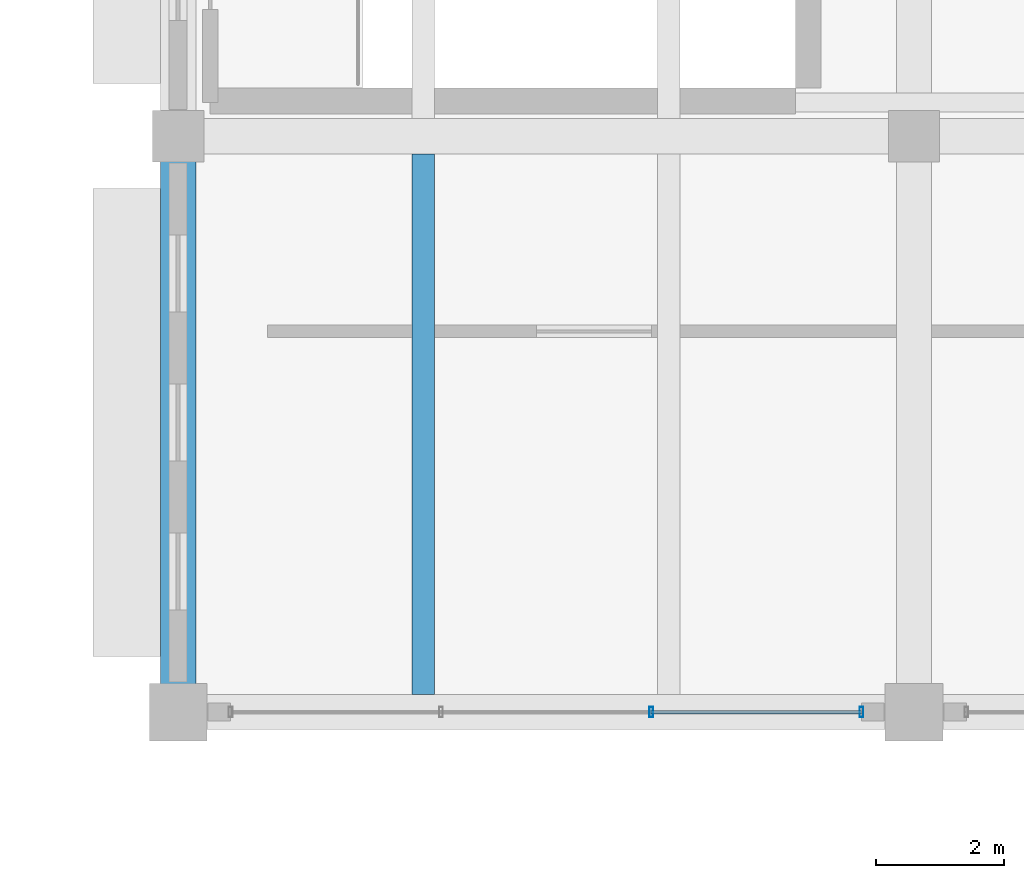
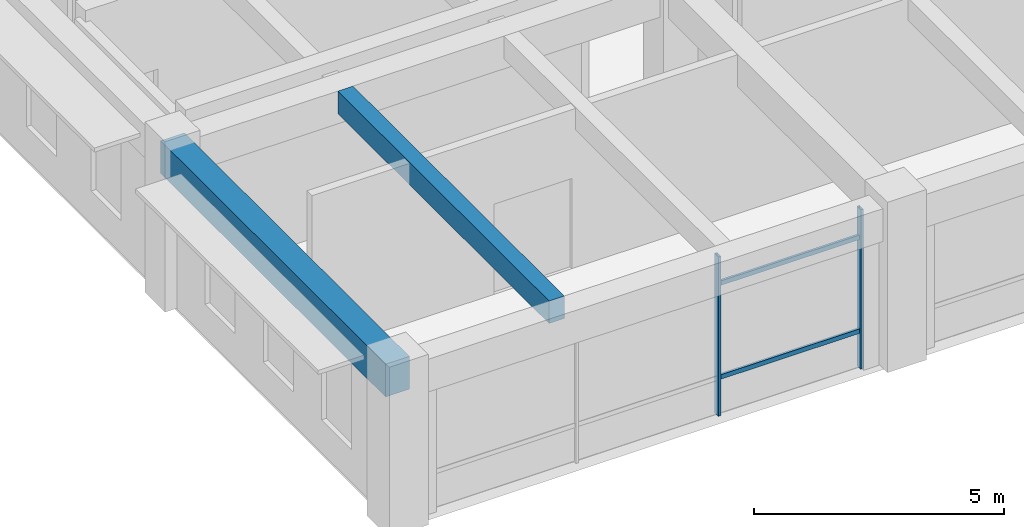
# One storey, part 3 of 33: 4 members, 2 beams, 1 element without a shape of its own.
"""IFC4 building model written with IfcOpenShell, lengths in metres."""

from ifc_helpers import new_model, si_unit, direction, frame, origin, origin_2d, place, context, subcontext, project, spatial, rectangle, hollow_rectangle, extrude, material, material_profile, profile_set, type_object, element, aggregate, save


model = new_model("IFC4")

# Units and contexts
model_context = context("Model", 3, precision=1e-05, world=origin(), true_north=direction((0.0, 1.0)))
body_context = subcontext(model_context, "Body", "Model", "MODEL_VIEW")
ifc_project = project(units=[si_unit("LENGTHUNIT", "METRE"), si_unit("AREAUNIT", "SQUARE_METRE"), si_unit("VOLUMEUNIT", "CUBIC_METRE"), si_unit("PLANEANGLEUNIT", "RADIAN"), si_unit("MASSUNIT", "GRAM", prefix="KILO")], contexts=[model_context])

# Site, building, storey
site_placement = place(None, origin())
site = spatial("IfcSite", under=ifc_project, at=site_placement, CompositionType="ELEMENT")
building_placement = place(site_placement, origin())
building = spatial("IfcBuilding", under=site, at=building_placement, Name="Ologun Quay Terminus", CompositionType="ELEMENT")
storey_placement = place(building_placement, frame((0.0, 0.0, 18.300048828125)))
storey = spatial("IfcBuildingStorey", under=building, at=storey_placement, Name="L04", CompositionType="ELEMENT", Elevation=18.300048828125)

# Curtain wall, members
ifc_material_1 = material(Name="Aluminium 6063-T6", Category="aluminium")
curtain_wall_type = type_object("IfcCurtainWallType", Name="Waterfront Pavilion Tea Salon Curtain Wall L04 10600x3800", PredefinedType="USERDEFINED", material=ifc_material_1)
curtain_wall_placement = place(storey_placement, origin())
curtain_wall = element("IfcCurtainWall", 1, at=curtain_wall_placement, inside=storey, type_object=curtain_wall_type, Name="CW-26 Curtain Wall CW-L04-115", ObjectType="UNITISED CURTAIN WALL", PredefinedType="USERDEFINED")
ifc_material_2 = material(Name="Aluminium 6063-T6", Category="aluminium")
ifc_material_profile_1 = material_profile(ifc_material_2, hollow_rectangle(XDim=0.06005859375, YDim=0.159912109375, WallThickness=0.00390625, at=origin_2d()), Name="ALU 160x60x4")
ifc_profile_set_1 = profile_set([ifc_material_profile_1], Name="Aluminium 6063-T6")
member_type_1 = type_object("IfcMemberType", Name="Courtyard Screen Mullion 160x65", PredefinedType="MULLION", material=ifc_profile_set_1)
member_1_placement = place(storey_placement, frame((30.393310546875, 85.800048828125, 0.0), z_axis=(0.0, 0.0, 1.0), x_axis=(1.0, 0.0, 0.0)))
member_1 = element("IfcMember", 2, at=member_1_placement, type_object=member_type_1, Name="CW-L04-115 Mullion 3", PredefinedType="MULLION", context=body_context, shape_type="SweptSolid", body=[
    extrude(hollow_rectangle(XDim=0.06005859375, YDim=0.159912109375, WallThickness=0.00390625, at=origin_2d()), origin(), (0.0, 0.0, 1.0), 3.889892578125),
])
member_2_placement = place(storey_placement, frame((33.679931640625, 85.800048828125, 0.0), z_axis=(0.0, 0.0, 1.0), x_axis=(1.0, 0.0, 0.0)))
member_2 = element("IfcMember", 3, at=member_2_placement, type_object=member_type_1, Name="CW-L04-115 Mullion 4", PredefinedType="MULLION", context=body_context, shape_type="SweptSolid", body=[
    extrude(hollow_rectangle(XDim=0.06005859375, YDim=0.159912109375, WallThickness=0.00390625, at=origin_2d()), origin(), (0.0, 0.0, 1.0), 3.889892578125),
])
ifc_material_3 = material(Name="Aluminium 6063-T6", Category="aluminium")
ifc_material_profile_2 = material_profile(ifc_material_3, hollow_rectangle(XDim=0.054931640625, YDim=0.110107421875, WallThickness=0.00390625, at=origin_2d()), Name="ALU 110x55x4")
ifc_profile_set_2 = profile_set([ifc_material_profile_2], Name="Aluminium 6063-T6")
member_type_2 = type_object("IfcMemberType", Name="Courtyard Screen Transom 110x55", PredefinedType="USERDEFINED", material=ifc_profile_set_2)
member_3_placement = place(storey_placement, frame((30.393310546875, 85.800048828125, 0.89990234375), z_axis=(1.0, 0.0, 0.0), x_axis=(0.0, 1.0, 0.0)))
member_3 = element("IfcMember", 4, at=member_3_placement, type_object=member_type_2, Name="CW-L04-115 Transom B3-1", ObjectType="TRANSOM", PredefinedType="USERDEFINED", context=body_context, shape_type="SweptSolid", body=[
    extrude(hollow_rectangle(XDim=0.054931640625, YDim=0.110107421875, WallThickness=0.00390625, at=origin_2d()), origin(), (0.0, 0.0, 1.0), 3.28662109375),
])
member_4_placement = place(storey_placement, frame((30.393310546875, 85.800048828125, 3.18994140625), z_axis=(1.0, 0.0, 0.0), x_axis=(0.0, 1.0, 0.0)))
member_4 = element("IfcMember", 5, at=member_4_placement, type_object=member_type_2, Name="CW-L04-115 Transom B3-2", ObjectType="TRANSOM", PredefinedType="USERDEFINED", context=body_context, shape_type="SweptSolid", body=[
    extrude(hollow_rectangle(XDim=0.054931640625, YDim=0.110107421875, WallThickness=0.00390625, at=origin_2d()), origin(), (0.0, 0.0, 1.0), 3.28662109375),
])
aggregate(curtain_wall, [member_1, member_2, member_3, member_4])

# Beams
ifc_material_4 = material(Name="Concrete C40/50", Category="concrete")
ifc_material_profile_3 = material_profile(ifc_material_4, rectangle(XDim=0.550048828125, YDim=0.800048828125, at=origin_2d()), Name="RC 550x800")
ifc_profile_set_3 = profile_set([ifc_material_profile_3], Name="Concrete C40/50")
beam_type_1 = type_object("IfcBeamType", Name="Courtyard Wing Primary Girder 550x800", PredefinedType="BEAM", material=ifc_profile_set_3)
beam_1_placement = place(storey_placement, frame((23.0, 85.800048828125, 3.5), z_axis=(0.0, 1.0, 0.0), x_axis=(-1.0, 0.0, 0.0)))
element("IfcBeam", 6, at=beam_1_placement, inside=storey, type_object=beam_type_1, Name="B4 Beam 3/G2 L04", PredefinedType="BEAM", context=body_context, shape_type="SweptSolid", body=[
    extrude(rectangle(XDim=0.550048828125, YDim=0.800048828125, at=origin_2d()), origin(), (0.0, 0.0, 1.0), 9.0),
])
ifc_material_5 = material(Name="Concrete C40/50", Category="concrete")
ifc_material_profile_4 = material_profile(ifc_material_5, rectangle(XDim=0.35009765625, YDim=0.550048828125, at=origin_2d()), Name="RC 350x550")
ifc_profile_set_4 = profile_set([ifc_material_profile_4], Name="Concrete C40/50")
beam_type_2 = type_object("IfcBeamType", Name="Courtyard Wing Secondary Joist 350x550", PredefinedType="JOIST", material=ifc_profile_set_4)
beam_2_placement = place(storey_placement, frame((26.833251953125, 86.074951171875, 3.625), z_axis=(0.0, 1.0, 0.0), x_axis=(-1.0, 0.0, 0.0)))
element("IfcBeam", 7, at=beam_2_placement, inside=storey, type_object=beam_type_2, Name="J2 Beam 3/G2 L04", PredefinedType="JOIST", context=body_context, shape_type="SweptSolid", body=[
    extrude(rectangle(XDim=0.35009765625, YDim=0.550048828125, at=origin_2d()), origin(), (0.0, 0.0, 1.0), 8.449951171875),
])

save(model, "model.ifc")
